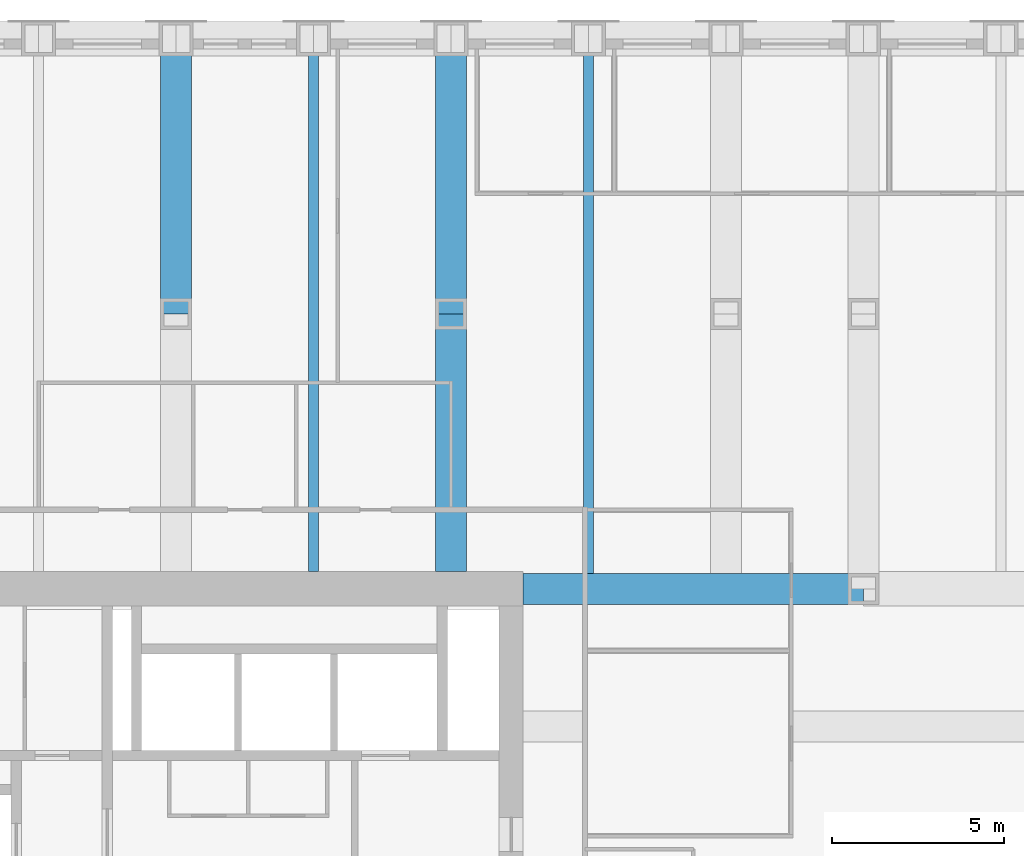
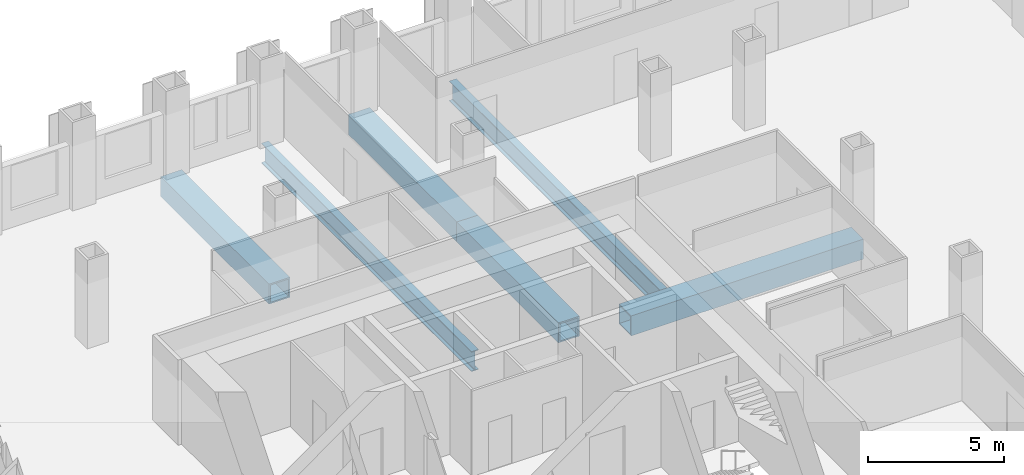
# One storey, part 7 of 15: 6 beams.
"""IFC4 building model written with IfcOpenShell, lengths in metres."""

from ifc_helpers import new_model, si_unit, direction, frame, origin, origin_2d, place, context, subcontext, project, spatial, hollow_rectangle, i_section, extrude, material, material_profile, profile_set, type_object, element, save


model = new_model("IFC4")

# Units and contexts
model_context = context("Model", 3, precision=1e-05, world=origin(), true_north=direction((0.0, 1.0)))
body_context = subcontext(model_context, "Body", "Model", "MODEL_VIEW")
ifc_project = project(units=[si_unit("LENGTHUNIT", "METRE"), si_unit("AREAUNIT", "SQUARE_METRE"), si_unit("VOLUMEUNIT", "CUBIC_METRE"), si_unit("PLANEANGLEUNIT", "RADIAN"), si_unit("MASSUNIT", "GRAM", prefix="KILO")], contexts=[model_context])

# Site, building, storey
site_placement = place(None, origin())
site = spatial("IfcSite", under=ifc_project, at=site_placement, CompositionType="ELEMENT")
building_placement = place(site_placement, origin())
building = spatial("IfcBuilding", under=site, at=building_placement, Name="Rimbunsela Tower", CompositionType="ELEMENT")
storey_placement = place(building_placement, frame((0.0, 0.0, 117.39990234375)))
storey = spatial("IfcBuildingStorey", under=building, at=storey_placement, Name="L28", CompositionType="ELEMENT", Elevation=117.39990234375)

# Beams
ifc_material_1 = material(Name="Steel BJ 55 (fy 410 MPa)", Category="steel")
ifc_material_profile_1 = material_profile(ifc_material_1, hollow_rectangle(XDim=0.89990234375, YDim=0.89990234375, WallThickness=0.06005859375, at=origin_2d()), Name="BOX 900x900x60")
ifc_profile_set_1 = profile_set([ifc_material_profile_1], Name="Steel BJ 55 (fy 410 MPa)")
beam_type_1 = type_object("IfcBeamType", Name="Beam BOX 900x900x60", PredefinedType="BEAM", material=ifc_profile_set_1)
beam_1_placement = place(storey_placement, frame((26.0, 44.0, -0.599853515625), z_axis=(0.0, 1.0, 0.0), x_axis=(-1.0, 0.0, 0.0)))
element("IfcBeam", 1, at=beam_1_placement, inside=storey, type_object=beam_type_1, Name="Beam B1 L28", PredefinedType="BEAM", context=body_context, shape_type="SweptSolid", body=[
    extrude(hollow_rectangle(XDim=0.89990234375, YDim=0.89990234375, WallThickness=0.06005859375, at=origin_2d()), origin(), (0.0, 0.0, 1.0), 8.0),
])
beam_2_placement = place(storey_placement, frame((34.0, 36.5, -0.599853515625), z_axis=(0.0, 1.0, 0.0), x_axis=(-1.0, 0.0, 0.0)))
element("IfcBeam", 2, at=beam_2_placement, inside=storey, type_object=beam_type_1, Name="Beam B1 L28", PredefinedType="BEAM", context=body_context, shape_type="SweptSolid", body=[
    extrude(hollow_rectangle(XDim=0.89990234375, YDim=0.89990234375, WallThickness=0.06005859375, at=origin_2d()), origin(), (0.0, 0.0, 1.0), 7.5),
])
beam_3_placement = place(storey_placement, frame((34.0, 44.0, -0.599853515625), z_axis=(0.0, 1.0, 0.0), x_axis=(-1.0, 0.0, 0.0)))
element("IfcBeam", 3, at=beam_3_placement, inside=storey, type_object=beam_type_1, Name="Beam B1 L28", PredefinedType="BEAM", context=body_context, shape_type="SweptSolid", body=[
    extrude(hollow_rectangle(XDim=0.89990234375, YDim=0.89990234375, WallThickness=0.06005859375, at=origin_2d()), origin(), (0.0, 0.0, 1.0), 8.0),
])
beam_4_placement = place(storey_placement, frame((36.10009765625, 36.0, -0.599853515625), z_axis=(1.0, 0.0, 0.0), x_axis=(0.0, 1.0, 0.0)))
element("IfcBeam", 4, at=beam_4_placement, inside=storey, type_object=beam_type_1, Name="Beam B1 L28", PredefinedType="BEAM", context=body_context, shape_type="SweptSolid", body=[
    extrude(hollow_rectangle(XDim=0.89990234375, YDim=0.89990234375, WallThickness=0.06005859375, at=origin_2d()), origin(), (0.0, 0.0, 1.0), 9.89990234375),
])
ifc_material_2 = material(Name="Steel BJ 55 (fy 410 MPa)", Category="steel")
ifc_material_profile_2 = material_profile(ifc_material_2, i_section(OverallWidth=0.300048828125, OverallDepth=0.89990234375, WebThickness=0.01611328125, FlangeThickness=0.028076171875, FilletRadius=0.028076171875, at=origin_2d()), Name="H 900x300x16x28")
ifc_profile_set_2 = profile_set([ifc_material_profile_2], Name="Steel BJ 55 (fy 410 MPa)")
beam_type_2 = type_object("IfcBeamType", Name="Beam H 900x300x16x28", PredefinedType="BEAM", material=ifc_profile_set_2)
beam_5_placement = place(storey_placement, frame((30.0, 36.5, -0.599853515625), z_axis=(0.0, 1.0, 0.0), x_axis=(-1.0, 0.0, 0.0)))
element("IfcBeam", 5, at=beam_5_placement, inside=storey, type_object=beam_type_2, Name="Beam B2 L28", PredefinedType="BEAM", context=body_context, shape_type="SweptSolid", body=[
    extrude(i_section(OverallWidth=0.300048828125, OverallDepth=0.89990234375, WebThickness=0.01611328125, FlangeThickness=0.028076171875, FilletRadius=0.028076171875, at=origin_2d()), origin(), (0.0, 0.0, 1.0), 15.5),
])
beam_6_placement = place(storey_placement, frame((38.0, 36.449951171875, -0.599853515625), z_axis=(0.0, 1.0, 0.0), x_axis=(-1.0, 0.0, 0.0)))
element("IfcBeam", 6, at=beam_6_placement, inside=storey, type_object=beam_type_2, Name="Beam B2 L28", PredefinedType="BEAM", context=body_context, shape_type="SweptSolid", body=[
    extrude(i_section(OverallWidth=0.300048828125, OverallDepth=0.89990234375, WebThickness=0.01611328125, FlangeThickness=0.028076171875, FilletRadius=0.028076171875, at=origin_2d()), origin(), (0.0, 0.0, 1.0), 15.550048828125),
])

save(model, "model.ifc")
